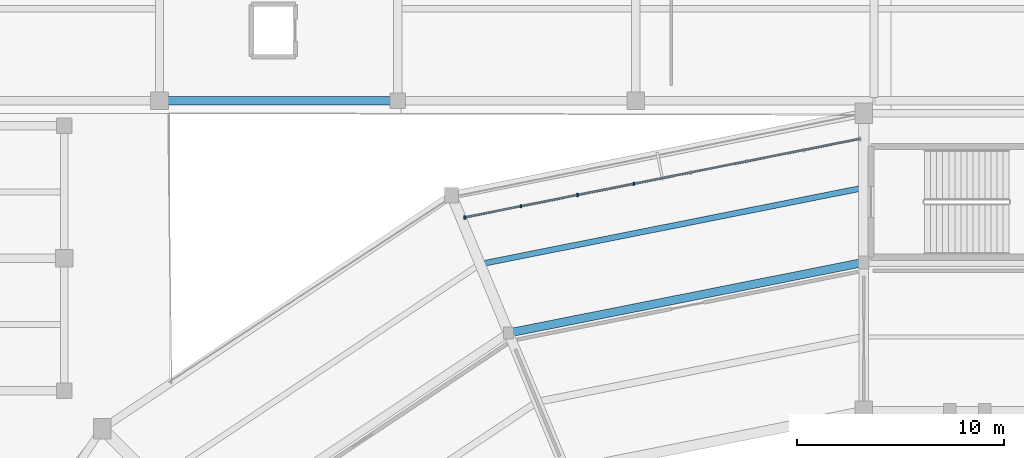
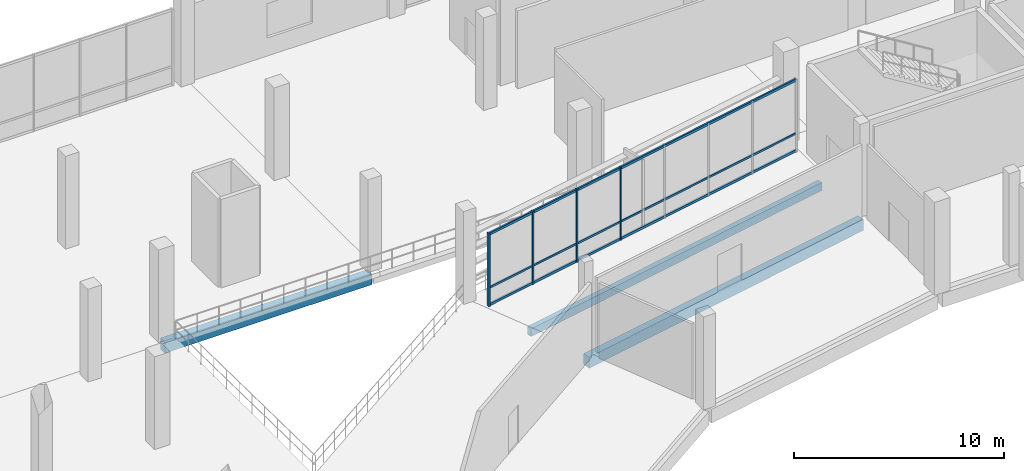
# One storey, part 47 of 114: 7 members, 3 beams, 1 element without a shape of its own.
"""IFC4 building model written with IfcOpenShell, lengths in metres."""

from ifc_helpers import new_model, si_unit, direction, frame, origin, origin_2d, place, context, subcontext, project, spatial, rectangle, extrude, material, material_profile, profile_set, type_object, element, aggregate, save


model = new_model("IFC4")

# Units and contexts
model_context = context("Model", 3, precision=1e-05, world=origin(), true_north=direction((0.0, 1.0)))
body_context = subcontext(model_context, "Body", "Model", "MODEL_VIEW")
ifc_project = project(units=[si_unit("LENGTHUNIT", "METRE"), si_unit("AREAUNIT", "SQUARE_METRE"), si_unit("VOLUMEUNIT", "CUBIC_METRE"), si_unit("PLANEANGLEUNIT", "RADIAN"), si_unit("MASSUNIT", "GRAM", prefix="KILO")], contexts=[model_context])

# Site, building, storey
site_placement = place(None, origin())
site = spatial("IfcSite", under=ifc_project, at=site_placement, CompositionType="ELEMENT")
building_placement = place(site_placement, origin())
building = spatial("IfcBuilding", under=site, at=building_placement, Name="Candeia Ridge Stadium", CompositionType="ELEMENT")
storey_placement = place(building_placement, frame((0.0, 0.0, 5.39990234375)))
storey = spatial("IfcBuildingStorey", under=building, at=storey_placement, Name="L01", CompositionType="ELEMENT", Elevation=5.39990234375)

# Curtain wall, members
ifc_material_1 = material(Name="Aluminium Anodized Warm Bronze", Category="aluminium")
curtain_wall_type = type_object("IfcCurtainWallType", Name="Concourse Recessed Unitised Curtain Wall", PredefinedType="NOTDEFINED", material=ifc_material_1)
curtain_wall_placement = place(storey_placement, origin())
curtain_wall = element("IfcCurtainWall", 1, at=curtain_wall_placement, inside=storey, type_object=curtain_wall_type, Name="Unitised curtain wall CW-BWL-L01-07", PredefinedType="NOTDEFINED")
ifc_material_profile_1 = material_profile(ifc_material_1, rectangle(XDim=0.090087890625, YDim=0.179931640625, at=origin_2d()), Name="CWM-90x180", Category="aluminium")
ifc_profile_set_1 = profile_set([ifc_material_profile_1], Name="Aluminium Anodized Warm Bronze")
member_type_1 = type_object("IfcMemberType", Name="Curtain Wall Primary Mullion 90x180", PredefinedType="MULLION", material=ifc_profile_set_1)
member_1_placement = place(storey_placement, frame((51.736083984375, 141.96826171875, 0.0), z_axis=(0.0, 0.0, 1.0), x_axis=(1.0, 0.0, 0.0)))
member_1 = element("IfcMember", 2, at=member_1_placement, type_object=member_type_1, Name="Curtain wall mullion CW-BWL-L01-07-M7", PredefinedType="MULLION", context=body_context, shape_type="SweptSolid", body=[
    extrude(rectangle(XDim=0.090087890625, YDim=0.179931640625, at=origin_2d()), origin(), (0.0, 0.0, 1.0), 4.2451171875),
])
ifc_material_profile_2 = material_profile(ifc_material_1, rectangle(XDim=0.074951171875, YDim=0.14990234375, at=origin_2d()), Name="CWM-75x150", Category="aluminium")
ifc_profile_set_2 = profile_set([ifc_material_profile_2], Name="Aluminium Anodized Warm Bronze")
member_type_2 = type_object("IfcMemberType", Name="Curtain Wall Secondary Mullion 75x150", PredefinedType="MULLION", material=ifc_profile_set_2)
member_2_placement = place(storey_placement, frame((59.91650390625, 143.595458984375, 0.0), z_axis=(0.0, 0.0, 1.0), x_axis=(1.0, 0.0, 0.0)))
member_2 = element("IfcMember", 3, at=member_2_placement, type_object=member_type_2, Name="Curtain wall mullion CW-BWL-L01-07-M4", PredefinedType="MULLION", context=body_context, shape_type="SweptSolid", body=[
    extrude(rectangle(XDim=0.074951171875, YDim=0.14990234375, at=origin_2d()), origin(), (0.0, 0.0, 1.0), 4.2451171875),
])
member_3_placement = place(storey_placement, frame((57.189697265625, 143.052978515625, 0.0), z_axis=(0.0, 0.0, 1.0), x_axis=(1.0, 0.0, 0.0)))
member_3 = element("IfcMember", 4, at=member_3_placement, type_object=member_type_2, Name="Curtain wall mullion CW-BWL-L01-07-M5", PredefinedType="MULLION", context=body_context, shape_type="SweptSolid", body=[
    extrude(rectangle(XDim=0.074951171875, YDim=0.14990234375, at=origin_2d()), origin(), (0.0, 0.0, 1.0), 4.2451171875),
])
member_4_placement = place(storey_placement, frame((54.462890625, 142.510498046875, 0.0), z_axis=(0.0, 0.0, 1.0), x_axis=(1.0, 0.0, 0.0)))
member_4 = element("IfcMember", 5, at=member_4_placement, type_object=member_type_2, Name="Curtain wall mullion CW-BWL-L01-07-M6", PredefinedType="MULLION", context=body_context, shape_type="SweptSolid", body=[
    extrude(rectangle(XDim=0.074951171875, YDim=0.14990234375, at=origin_2d()), origin(), (0.0, 0.0, 1.0), 4.2451171875),
])
ifc_material_profile_3 = material_profile(ifc_material_1, rectangle(XDim=0.074951171875, YDim=0.110107421875, at=origin_2d()), Name="CWT-75x110", Category="aluminium")
ifc_profile_set_3 = profile_set([ifc_material_profile_3], Name="Aluminium Anodized Warm Bronze")
member_type_3 = type_object("IfcMemberType", Name="Curtain Wall Secondary Transom 75x110", PredefinedType="USERDEFINED", material=ifc_profile_set_3)
member_5_placement = place(storey_placement, frame((70.823486328125, 145.764892578125, 1.061279296875), z_axis=(-0.980786160623, -0.195085896803, 0.0), x_axis=(0.195085896803, -0.980786160623, 0.0)))
member_5 = element("IfcMember", 6, at=member_5_placement, type_object=member_type_3, Name="Curtain wall transom CW-BWL-L01-07-T1", ObjectType="TRANSOM", PredefinedType="USERDEFINED", context=body_context, shape_type="SweptSolid", body=[
    extrude(rectangle(XDim=0.074951171875, YDim=0.110107421875, at=origin_2d()), origin(), (0.0, 0.0, 1.0), 19.46142578125),
])
ifc_material_profile_4 = material_profile(ifc_material_1, rectangle(XDim=0.090087890625, YDim=0.139892578125, at=origin_2d()), Name="CWT-90x140", Category="aluminium")
ifc_profile_set_4 = profile_set([ifc_material_profile_4], Name="Aluminium Anodized Warm Bronze")
member_type_4 = type_object("IfcMemberType", Name="Curtain Wall Transom 90x140", PredefinedType="USERDEFINED", material=ifc_profile_set_4)
member_6_placement = place(storey_placement, frame((70.823486328125, 145.764892578125, 0.070068359375), z_axis=(-0.980786160623, -0.195085896803, 0.0), x_axis=(0.195085896803, -0.980786160623, 0.0)))
member_6 = element("IfcMember", 7, at=member_6_placement, type_object=member_type_4, Name="Curtain wall transom CW-BWL-L01-07-T0", ObjectType="TRANSOM", PredefinedType="USERDEFINED", context=body_context, shape_type="SweptSolid", body=[
    extrude(rectangle(XDim=0.090087890625, YDim=0.139892578125, at=origin_2d()), origin(), (0.0, 0.0, 1.0), 19.46142578125),
])
member_7_placement = place(storey_placement, frame((70.823486328125, 145.764892578125, 4.175048828125), z_axis=(-0.980786160623, -0.195085896803, 0.0), x_axis=(0.195085896803, -0.980786160623, 0.0)))
member_7 = element("IfcMember", 8, at=member_7_placement, type_object=member_type_4, Name="Curtain wall transom CW-BWL-L01-07-T2", ObjectType="TRANSOM", PredefinedType="USERDEFINED", context=body_context, shape_type="SweptSolid", body=[
    extrude(rectangle(XDim=0.090087890625, YDim=0.139892578125, at=origin_2d()), origin(), (0.0, 0.0, 1.0), 19.46142578125),
])
aggregate(curtain_wall, [member_2, member_3, member_4, member_1, member_6, member_5, member_7])

# Beams
ifc_material_2 = material(Name="Concrete C40/50", Category="concrete")
ifc_material_profile_5 = material_profile(ifc_material_2, rectangle(XDim=0.280029296875, YDim=0.4599609375, at=origin_2d()), Name="RC280x460", Category="concrete")
ifc_profile_set_5 = profile_set([ifc_material_profile_5], Name="Concrete C40/50")
beam_type_1 = type_object("IfcBeamType", Name="Floor Joist RC280x460", PredefinedType="JOIST", material=ifc_profile_set_5)
beam_1_placement = place(storey_placement, frame((70.7822265625, 143.356689453125, -0.489990234375), z_axis=(-0.980784839623, -0.195092537954, 0.0), x_axis=(0.195092537954, -0.980784839623, 0.0)))
element("IfcBeam", 9, at=beam_1_placement, inside=storey, type_object=beam_type_1, Name="Concourse secondary joist BM-L01-0107", PredefinedType="JOIST", context=body_context, shape_type="SweptSolid", body=[
    extrude(rectangle(XDim=0.280029296875, YDim=0.4599609375, at=origin_2d()), origin(), (0.0, 0.0, 1.0), 18.440673828125),
])
ifc_material_profile_6 = material_profile(ifc_material_2, rectangle(XDim=0.39990234375, YDim=0.64990234375, at=origin_2d()), Name="RC400x650", Category="concrete")
ifc_profile_set_6 = profile_set([ifc_material_profile_6], Name="Concrete C40/50")
beam_type_2 = type_object("IfcBeamType", Name="Wing Primary Girder RC400x650", PredefinedType="BEAM", material=ifc_profile_set_6)
beam_2_placement = place(storey_placement, frame((70.950927734375, 139.790283203125, -0.5849609375), z_axis=(-0.980785980309, -0.195086803319, 0.0), x_axis=(0.195086803319, -0.980785980309, 0.0)))
element("IfcBeam", 10, at=beam_2_placement, inside=storey, type_object=beam_type_2, Name="Concourse spine girder BM-L01-0104", PredefinedType="BEAM", context=body_context, shape_type="SweptSolid", body=[
    extrude(rectangle(XDim=0.39990234375, YDim=0.64990234375, at=origin_2d()), origin(), (0.0, 0.0, 1.0), 17.380126953125),
])
beam_3_placement = place(storey_placement, frame((37.050048828125, 147.60009765625, -0.5849609375), z_axis=(1.0, 0.0, 0.0), x_axis=(0.0, 1.0, 0.0)))
element("IfcBeam", 11, at=beam_3_placement, inside=storey, type_object=beam_type_2, Name="Structural girder BM-L01-1547", PredefinedType="BEAM", context=body_context, shape_type="SweptSolid", body=[
    extrude(rectangle(XDim=0.39990234375, YDim=0.64990234375, at=origin_2d()), origin(), (0.0, 0.0, 1.0), 11.39990234375),
])

save(model, "model.ifc")
